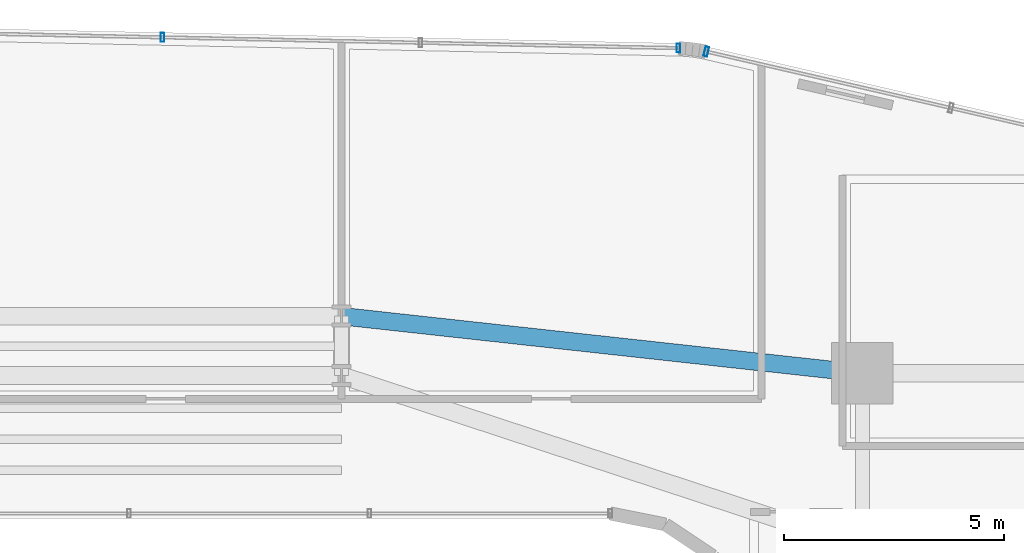
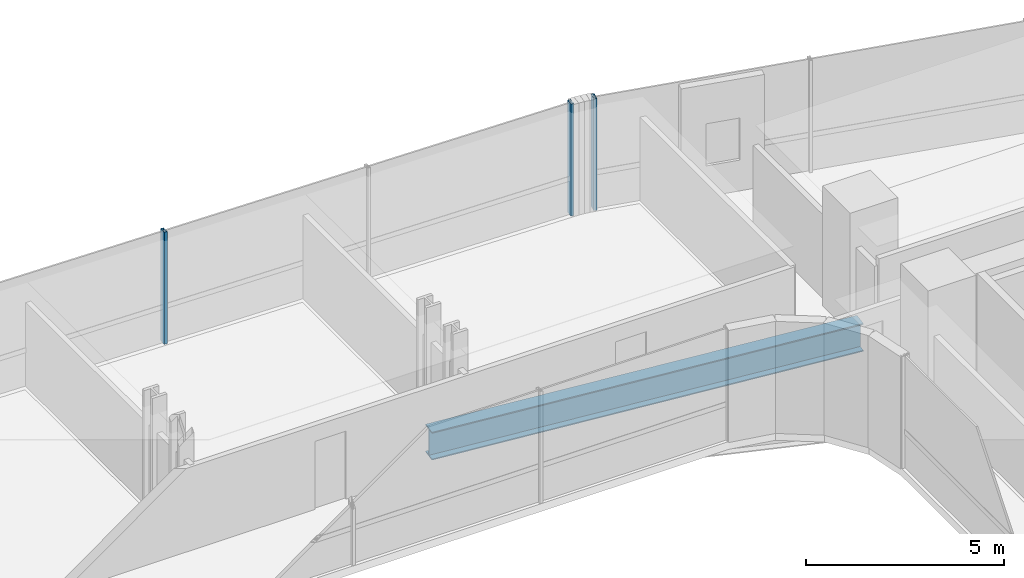
# One storey, part 22 of 39: 3 members, 1 beam, 2 elements without a shape of their own.
"""IFC4 building model written with IfcOpenShell, lengths in metres."""

from ifc_helpers import new_model, si_unit, direction, frame, origin, origin_2d, place, context, subcontext, project, spatial, hollow_rectangle, i_section, extrude, source, transform, mapped, material, material_profile, profile_set, type_object, element, aggregate, save


model = new_model("IFC4")

# Units and contexts
model_context = context("Model", 3, precision=1e-05, world=origin(), true_north=direction((0.0, 1.0)))
body_context = subcontext(model_context, "Body", "Model", "MODEL_VIEW")
ifc_project = project(units=[si_unit("LENGTHUNIT", "METRE"), si_unit("AREAUNIT", "SQUARE_METRE"), si_unit("VOLUMEUNIT", "CUBIC_METRE"), si_unit("PLANEANGLEUNIT", "RADIAN"), si_unit("MASSUNIT", "GRAM", prefix="KILO")], contexts=[model_context])

# Site, building, storey
site_placement = place(None, origin())
site = spatial("IfcSite", under=ifc_project, at=site_placement, CompositionType="ELEMENT")
building_placement = place(site_placement, origin())
building = spatial("IfcBuilding", under=site, at=building_placement, Name="Valdorenza Pilgrim Sanctuary Tower", CompositionType="ELEMENT")
storey_placement = place(building_placement, frame((0.0, 0.0, 33.39990234375)))
storey = spatial("IfcBuildingStorey", under=building, at=storey_placement, Name="L07", CompositionType="ELEMENT", Elevation=33.39990234375)

# Beam
ifc_material_1 = material(Name="Steel ASTM A992 Grade 50", Category="steel")
ifc_material_profile_1 = material_profile(ifc_material_1, i_section(OverallWidth=0.39990234375, OverallDepth=0.862060546875, WebThickness=0.019775390625, FlangeThickness=0.032470703125, at=origin_2d()), Name="W33X221")
ifc_profile_set_1 = profile_set([ifc_material_profile_1], Name="Steel ASTM A992 Grade 50")
beam_type = type_object("IfcBeamType", Name="STR-BM-GRD-W33", PredefinedType="BEAM", material=ifc_profile_set_1)
shared_shape_1 = source(origin(), body_context, "Body", "SweptSolid", [
    extrude(i_section(OverallWidth=0.39990234375, OverallDepth=0.862060546875, WebThickness=0.019775390625, FlangeThickness=0.032470703125, at=origin_2d()), origin(), (0.0, 0.0, 1.0), 11.921142578125),
])
beam_placement = place(storey_placement, frame((4.0, 14.800048828125, -0.6708984375), z_axis=(0.994035876607, -0.10905354656, 0.0), x_axis=(0.10905354656, 0.994035876607, 0.0)))
element("IfcBeam", 1, at=beam_placement, inside=storey, type_object=beam_type, Name="L07 Floor Girder KNK-G6", PredefinedType="BEAM", context=body_context, shape_type="MappedRepresentation", body=[
    mapped(shared_shape_1, transform((0.0, 0.0, 0.0), x_axis=(1.0, 0.0, 0.0), y_axis=(0.0, 1.0, 0.0), z_axis=(0.0, 0.0, 1.0), scale=1.0)),
])

# Curtain wall, members
ifc_material_2 = material(Name="Curtain-wall IGU glazing", Category="glass")
curtain_wall_type_1 = type_object("IfcCurtainWallType", Name="CW-SYS-02", PredefinedType="NOTDEFINED", material=ifc_material_2)
curtain_wall_1_placement = place(storey_placement, origin())
curtain_wall_1 = element("IfcCurtainWall", 2, at=curtain_wall_1_placement, inside=storey, type_object=curtain_wall_type_1, Name="L07 Curtain Wall CW-L07-1-11", PredefinedType="NOTDEFINED")
ifc_material_3 = material(Name="Anodised aluminium AW-6060", Category="aluminium")
ifc_material_profile_2 = material_profile(ifc_material_3, hollow_rectangle(XDim=0.0849609375, YDim=0.199951171875, WallThickness=0.0048828125, at=origin_2d()), Name="ALU-M 200x85x5")
ifc_profile_set_2 = profile_set([ifc_material_profile_2], Name="Anodised aluminium AW-6060")
member_type_1 = type_object("IfcMemberType", Name="CW-MUL-02", PredefinedType="MULLION", material=ifc_profile_set_2)
shared_shape_2 = source(origin(), body_context, "Body", "SweptSolid", [
    extrude(hollow_rectangle(XDim=0.0849609375, YDim=0.199951171875, WallThickness=0.0048828125, at=origin_2d()), origin(), (0.0, 0.0, 1.0), 3.460205078125),
])
member_1_placement = place(storey_placement, frame((-0.0712890625, 21.1416015625, 0.0), z_axis=(0.0, 0.0, 1.0), x_axis=(0.999783234613, -0.020820273474, 0.0)))
member_1 = element("IfcMember", 3, at=member_1_placement, type_object=member_type_1, Name="CW-L07-1-11 Mullion 3", PredefinedType="MULLION", context=body_context, shape_type="MappedRepresentation", body=[
    mapped(shared_shape_2, transform((0.0, 0.0, 0.0), x_axis=(1.0, 0.0, 0.0), y_axis=(0.0, 1.0, 0.0), z_axis=(0.0, 0.0, 1.0), scale=1.0)),
])
member_2_placement = place(storey_placement, frame((11.665771484375, 20.89697265625, 0.0), z_axis=(0.0, 0.0, 1.0), x_axis=(0.999783234613, -0.020820273474, 0.0)))
member_2 = element("IfcMember", 4, at=member_2_placement, type_object=member_type_1, Name="CW-L07-1-11 Mullion 5", PredefinedType="MULLION", context=body_context, shape_type="MappedRepresentation", body=[
    mapped(shared_shape_2, transform((0.0, 0.0, 0.0), x_axis=(1.0, 0.0, 0.0), y_axis=(0.0, 1.0, 0.0), z_axis=(0.0, 0.0, 1.0), scale=1.0)),
])
aggregate(curtain_wall_1, [member_1, member_2])

# Curtain wall, member
curtain_wall_type_2 = type_object("IfcCurtainWallType", Name="CW-SYS-03", PredefinedType="NOTDEFINED", material=ifc_material_2)
curtain_wall_2_placement = place(storey_placement, origin())
curtain_wall_2 = element("IfcCurtainWall", 5, at=curtain_wall_2_placement, inside=storey, type_object=curtain_wall_type_2, Name="L07 Curtain Wall CW-L07-1-16", PredefinedType="NOTDEFINED")
ifc_material_profile_3 = material_profile(ifc_material_3, hollow_rectangle(XDim=0.0849609375, YDim=0.219970703125, WallThickness=0.0048828125, at=origin_2d()), Name="ALU-M 220x85x5")
ifc_profile_set_3 = profile_set([ifc_material_profile_3], Name="Anodised aluminium AW-6060")
member_type_2 = type_object("IfcMemberType", Name="CW-MUL-03", PredefinedType="MULLION", material=ifc_profile_set_3)
shared_shape_3 = source(origin(), body_context, "Body", "SweptSolid", [
    extrude(hollow_rectangle(XDim=0.0849609375, YDim=0.219970703125, WallThickness=0.0048828125, at=origin_2d()), origin(), (0.0, 0.0, 1.0), 3.460205078125),
])
member_3_placement = place(storey_placement, frame((12.299072265625, 20.818115234375, 0.0), z_axis=(0.0, 0.0, 1.0), x_axis=(0.974389691758, -0.224866023659, 0.0)))
member_3 = element("IfcMember", 6, at=member_3_placement, type_object=member_type_2, Name="CW-L07-1-16 Mullion 1", PredefinedType="MULLION", context=body_context, shape_type="MappedRepresentation", body=[
    mapped(shared_shape_3, transform((0.0, 0.0, 0.0), x_axis=(1.0, 0.0, 0.0), y_axis=(0.0, 1.0, 0.0), z_axis=(0.0, 0.0, 1.0), scale=1.0)),
])
aggregate(curtain_wall_2, [member_3])

save(model, "model.ifc")
